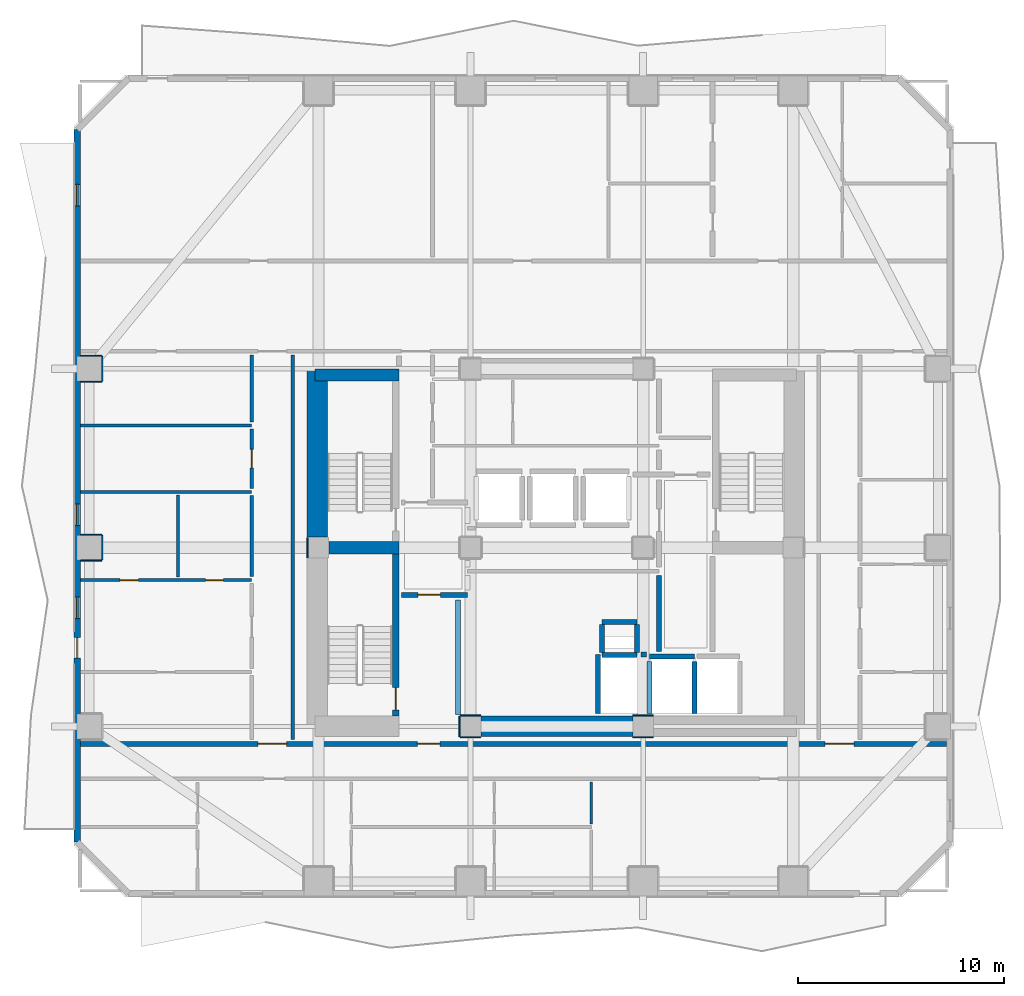
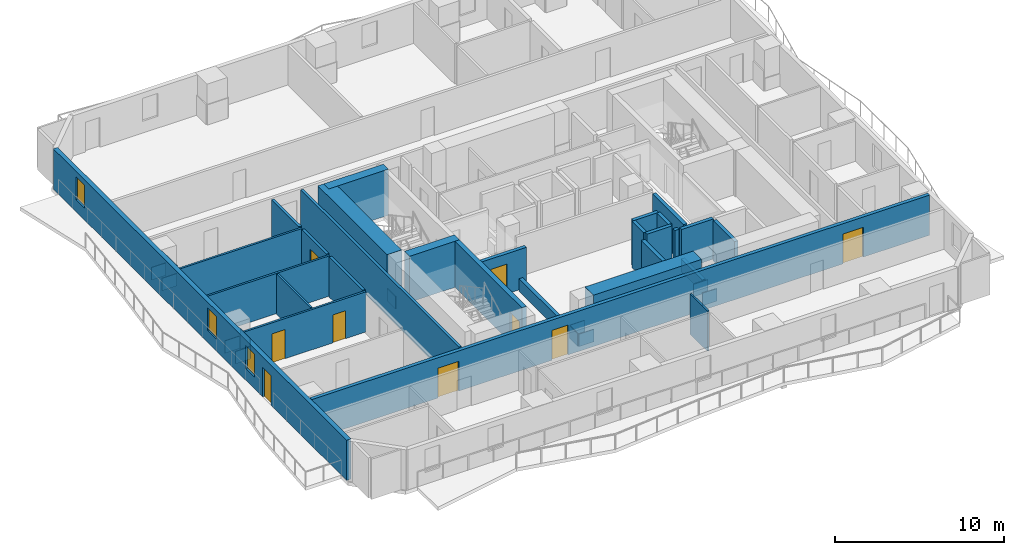
# One storey, part 3 of 10: 40 walls, 9 doors, 3 windows, 12 openings.
"""IFC4 building model written with IfcOpenShell, lengths in metres."""

import ifcopenshell
import ifcopenshell.guid

model = None  # the IFC model being written
_history = None  # IfcOwnerHistory: only IFC2X3 demands one
_inside = {}  # id of a spatial element -> (the spatial element, [elements in it])
_under = {}  # id of a project, library or spatial element -> (it, [spatial elements below it])
_declared = {}  # id of a project -> (the project, [libraries it declares])
_typed = {}  # id of a type object -> (the type object, [elements of that type])
_made_of = {}  # id of a material, layer set ... -> (it, [elements and type objects made of it])


def new_model(schema):
    """Start an empty IFC model of exactly this schema.

    Asked for "IFC4X3", IfcOpenShell would pick the latest addendum, in which some entities
    have other attributes; the version numbers below select the first issue.
    IFC2X3 requires an IfcOwnerHistory on every rooted entity: one is made here for all.
    """
    global model, _history
    if schema == "IFC4X3":
        model = ifcopenshell.file(schema_version=(4, 3, 0, 0))
    else:
        model = ifcopenshell.file(schema=schema)
    _inside.clear()
    _under.clear()
    _declared.clear()
    _typed.clear()
    _made_of.clear()
    _history = None
    if model.schema == "IFC2X3":
        org = make("IfcOrganization", Name="unknown")
        user = make(
            "IfcPersonAndOrganization",
            ThePerson=make("IfcPerson", FamilyName="unknown"),
            TheOrganization=org,
        )
        app = make(
            "IfcApplication",
            ApplicationDeveloper=org,
            Version="unknown",
            ApplicationFullName="unknown",
            ApplicationIdentifier="unknown",
        )
        _history = make(
            "IfcOwnerHistory",
            OwningUser=user,
            OwningApplication=app,
            ChangeAction="ADDED",
            CreationDate=0,
        )
    return model


def make(cls, **values):
    """One entity of the class cls with the attributes given. An attribute that is None is left unset."""
    return model.create_entity(
        cls, **{name: value for name, value in values.items() if value is not None}
    )


def rooted(cls, **values):
    """An entity with a GlobalId (a new one), such as an element, a storey or a relation."""
    return make(cls, GlobalId=ifcopenshell.guid.new(), OwnerHistory=_history, **values)


def si_unit(unit_type, name, prefix=None):
    """IfcSIUnit, for example si_unit("LENGTHUNIT", "METRE", prefix="MILLI")."""
    return make("IfcSIUnit", UnitType=unit_type, Prefix=prefix, Name=name)


def assignment(units):
    """IfcUnitAssignment: the units of a project."""
    return None if units is None else make("IfcUnitAssignment", Units=units)


def point(xyz):
    """IfcCartesianPoint."""
    return None if xyz is None else make("IfcCartesianPoint", Coordinates=xyz)


def direction(xyz):
    """IfcDirection."""
    return None if xyz is None else make("IfcDirection", DirectionRatios=xyz)


def frame(location, z_axis=None, x_axis=None):
    """IfcAxis2Placement3D, a coordinate frame: its origin and axes. An axis left out is left unset."""
    return make(
        "IfcAxis2Placement3D",
        Location=point(location),
        Axis=direction(z_axis),
        RefDirection=direction(x_axis),
    )


def frame_2d(location, x_axis=None):
    """IfcAxis2Placement2D, a coordinate frame in the plane: its origin and x axis."""
    return make(
        "IfcAxis2Placement2D", Location=point(location), RefDirection=direction(x_axis)
    )


def origin():
    """The frame at (0, 0, 0) with its axes left unset."""
    return frame((0.0, 0.0, 0.0))


def place(relative_to, where):
    """IfcLocalPlacement: puts the frame where relative to a parent placement (None: the world)."""
    return make(
        "IfcLocalPlacement", PlacementRelTo=relative_to, RelativePlacement=where
    )


def context(
    kind, dimensions, precision=None, world=None, true_north=None, identifier=None
):
    """IfcGeometricRepresentationContext, for example the 3D "Model" context."""
    return make(
        "IfcGeometricRepresentationContext",
        ContextIdentifier=identifier,
        ContextType=kind,
        CoordinateSpaceDimension=dimensions,
        Precision=precision,
        WorldCoordinateSystem=world,
        TrueNorth=true_north,
    )


def subcontext(parent, identifier, kind, view, scale=None):
    """IfcGeometricRepresentationSubContext, for example "Body" below "Model"."""
    return make(
        "IfcGeometricRepresentationSubContext",
        ContextIdentifier=identifier,
        ContextType=kind,
        ParentContext=parent,
        TargetScale=scale,
        TargetView=view,
    )


def project(units=None, contexts=None):
    """IfcProject with its units and contexts."""
    return rooted(
        "IfcProject",
        Name="project",
        RepresentationContexts=contexts,
        UnitsInContext=assignment(units),
    )


def spatial(cls, under=None, at=None, **own):
    """A site, building, storey or space (cls), placed at a placement, below another one or the project."""
    s = rooted(cls, ObjectPlacement=at, **own)
    if under is not None:
        _under.setdefault(under.id(), (under, []))[1].append(s)
    return s


def profile(cls, at=None, kind="AREA", **sizes):
    """A parametric profile (cls). Its sizes go by their IFC names, for example OverallWidth=200.0."""
    return make(cls, ProfileType=kind, Position=at, **sizes)


def rectangle(**sizes):
    """IfcRectangleProfileDef."""
    return profile("IfcRectangleProfileDef", **sizes)


def extrude(swept, where, along, depth):
    """IfcExtrudedAreaSolid: the profile swept, set in the frame where, extruded along a direction by depth."""
    return make(
        "IfcExtrudedAreaSolid",
        SweptArea=swept,
        Position=where,
        ExtrudedDirection=direction(along),
        Depth=depth,
    )


def shape(context_of_items, identifier, shape_type, items):
    """IfcShapeRepresentation: the items that make up one representation, for example the "Body"."""
    return make(
        "IfcShapeRepresentation",
        ContextOfItems=context_of_items,
        RepresentationIdentifier=identifier,
        RepresentationType=shape_type,
        Items=items,
    )


def material(Name=None, Category=None):
    """IfcMaterial."""
    return make("IfcMaterial", Name=Name, Category=Category)


def layer(
    of_material, thickness, ventilated=None, Name=None, Category=None, Priority=None
):
    """IfcMaterialLayer: one layer of a wall or slab, of a material (None: an air gap)."""
    return make(
        "IfcMaterialLayer",
        Material=of_material,
        LayerThickness=thickness,
        IsVentilated=ventilated,
        Name=Name,
        Category=Category,
        Priority=Priority,
    )


def layer_set(layers, Name=None):
    """IfcMaterialLayerSet."""
    return make("IfcMaterialLayerSet", MaterialLayers=layers, LayerSetName=Name)


def made_of(thing, what):
    """Note that an element or type object is made of a material, layer set ...; save() writes the relation."""
    if what is not None:
        _made_of.setdefault(what.id(), (what, []))[1].append(thing)
    return thing


def type_object(cls, material=None, **own):
    """A type object (cls), such as IfcWallType, which elements share."""
    return made_of(rooted(cls, **own), material)


def element(
    cls,
    number,
    at=None,
    inside=None,
    cuts=None,
    type_object=None,
    material=None,
    context=None,
    identifier="Body",
    shape_type=None,
    held_by="IfcProductDefinitionShape",
    body=None,
    shapes=None,
    **own,
):
    """One element of the class cls, such as IfcWall. Its Tag is "e" and its number.

    at: its placement. inside: the storey or other place that contains it. cuts: it is an
    opening in that element (IfcRelVoidsElement). A single representation is given by context,
    identifier, shape_type and body (its items); several are given by shapes. held_by: the class
    of the entity that holds the representations. save() writes the other relations.
    """
    e = rooted(cls, Tag="e%d" % number, ObjectPlacement=at, **own)
    if body is not None:
        shapes = [shape(context, identifier, shape_type, body)]
    if shapes is not None:
        e.Representation = make(held_by, Representations=shapes)
    if inside is not None:
        _inside.setdefault(inside.id(), (inside, []))[1].append(e)
    if cuts is not None:
        rooted(
            "IfcRelVoidsElement", RelatingBuildingElement=cuts, RelatedOpeningElement=e
        )
    if type_object is not None:
        _typed.setdefault(type_object.id(), (type_object, []))[1].append(e)
    return made_of(e, material)


def fill(opening, filler):
    """IfcRelFillsElement: the door or window that sits in an opening."""
    return rooted(
        "IfcRelFillsElement",
        RelatingOpeningElement=opening,
        RelatedBuildingElement=filler,
    )


def aggregate(whole, parts):
    """IfcRelAggregates: a whole, such as a stair, and the parts it consists of."""
    return rooted("IfcRelAggregates", RelatingObject=whole, RelatedObjects=parts)


def save(model, path):
    """Write the relations noted so far, then the file.

    IfcRelAggregates (storeys below a building ...), IfcRelContainedInSpatialStructure (elements
    in a storey), IfcRelDefinesByType, IfcRelAssociatesMaterial and IfcRelDeclares: one each for
    every whole, place, type object, material and project.
    """
    for whole, parts in _under.values():
        aggregate(whole, parts)
    for where, things in _inside.values():
        rooted(
            "IfcRelContainedInSpatialStructure",
            RelatedElements=things,
            RelatingStructure=where,
        )
    for kind, things in _typed.values():
        rooted("IfcRelDefinesByType", RelatedObjects=things, RelatingType=kind)
    for what, things in _made_of.values():
        rooted("IfcRelAssociatesMaterial", RelatedObjects=things, RelatingMaterial=what)
    for by, libraries in _declared.values():
        rooted("IfcRelDeclares", RelatingContext=by, RelatedDefinitions=libraries)
    model.write(path)


model = new_model("IFC4")

# Units and contexts
model_context = context("Model", 3, precision=1e-05, world=origin(), true_north=direction((0.0, 1.0)))
body_context = subcontext(model_context, "Body", "Model", "MODEL_VIEW")
ifc_project = project(units=[si_unit("LENGTHUNIT", "METRE"), si_unit("AREAUNIT", "SQUARE_METRE"), si_unit("VOLUMEUNIT", "CUBIC_METRE"), si_unit("PLANEANGLEUNIT", "RADIAN"), si_unit("MASSUNIT", "GRAM", prefix="KILO")], contexts=[model_context])

# Site, building, storey
site_placement = place(None, origin())
site = spatial("IfcSite", under=ifc_project, at=site_placement, CompositionType="ELEMENT")
building_placement = place(site_placement, origin())
building = spatial("IfcBuilding", under=site, at=building_placement, Name="Solanera Arch Residences", CompositionType="ELEMENT")
storey_placement = place(building_placement, frame((0.0, 0.0, 102.760009765625)))
storey = spatial("IfcBuildingStorey", under=building, at=storey_placement, Name="L29", CompositionType="ELEMENT", Elevation=102.760009765625)

# Walls
ifc_material_1 = material(Name="Fire-Rated Gypsum Stud Partition", Category="gypsum")
ifc_layer_1 = layer(ifc_material_1, 0.06005859375)
ifc_layer_set_1 = layer_set([ifc_layer_1], Name="Fire-Rated Gypsum Stud Partition")
wall_type_1 = type_object("IfcWallType", Name="Column Acoustic Furring Wall 60", PredefinedType="PARTITIONING", material=ifc_layer_set_1)
for number, where, z_axis, x_axis, name in (
    (1, (20.300048828125, 21.468017578125, 0.0), (0.0, 0.0, 1.0), (1.0, 0.0, 0.0), "L29 Column Furring 1S"),
    (2, (20.300048828125, 22.531982421875, 0.0), (0.0, 0.0, 1.0), (1.0, 0.0, 0.0), "L29 Column Furring 1N"),
    (3, (20.26806640625, 21.5, 0.0), (0.0, 0.0, 1.0), (0.0, 1.0, 0.0), "L29 Column Furring 1W"),
    (4, (28.699951171875, 21.468017578125, 0.0), (0.0, 0.0, 1.0), (1.0, 0.0, 0.0), "L29 Column Furring 2S"),
    (5, (28.699951171875, 22.531982421875, 0.0), (0.0, 0.0, 1.0), (1.0, 0.0, 0.0), "L29 Column Furring 2N"),
):
    element("IfcWall", number, at=place(storey_placement, frame(where, z_axis=z_axis, x_axis=x_axis)), inside=storey, type_object=wall_type_1, Name=name, PredefinedType="PARTITIONING", context=body_context, shape_type="SweptSolid", body=[
        extrude(rectangle(XDim=1.0, YDim=0.06005859375, at=frame_2d((0.5, 0.0))), origin(), (0.0, 0.0, 1.0), 0.905029296875),
    ])
wall_1_placement = place(storey_placement, frame((12.867919921875, 30.2099609375, 0.0), z_axis=(0.0, 0.0, 1.0), x_axis=(0.0, 1.0, 0.0)))
element("IfcWall", 6, at=wall_1_placement, inside=storey, type_object=wall_type_1, Name="L29 Column Furring 5W", PredefinedType="PARTITIONING", context=body_context, shape_type="SweptSolid", body=[
    extrude(rectangle(XDim=0.97998046875, YDim=0.06005859375, at=frame_2d((0.489990234375, 0.0))), origin(), (0.0, 0.0, 1.0), 0.905029296875),
])
for number, where, z_axis, x_axis, name in (
    (7, (1.830078125, 30.068115234375, 0.0), (0.0, 0.0, 1.0), (1.0, 0.0, 0.0), "L29 Column Furring 19S"),
    (8, (1.830078125, 31.33203125, 0.0), (0.0, 0.0, 1.0), (1.0, 0.0, 0.0), "L29 Column Furring 19N"),
):
    element("IfcWall", number, at=place(storey_placement, frame(where, z_axis=z_axis, x_axis=x_axis)), inside=storey, type_object=wall_type_1, Name=name, PredefinedType="PARTITIONING", context=body_context, shape_type="SweptSolid", body=[
        extrude(rectangle(XDim=1.02001953125, YDim=0.06005859375, at=frame_2d((0.510009765625, 0.0))), origin(), (0.0, 0.0, 1.0), 0.905029296875),
    ])
wall_2_placement = place(storey_placement, frame((2.882080078125, 30.10009765625, 0.0), z_axis=(0.0, 0.0, 1.0), x_axis=(0.0, 1.0, 0.0)))
element("IfcWall", 9, at=wall_2_placement, inside=storey, type_object=wall_type_1, Name="L29 Column Furring 19E", PredefinedType="PARTITIONING", context=body_context, shape_type="SweptSolid", body=[
    extrude(rectangle(XDim=1.199951171875, YDim=0.06005859375, at=frame_2d((0.60009765625, 0.0))), origin(), (0.0, 0.0, 1.0), 1.449951171875),
])
for number, where, z_axis, x_axis, name in (
    (10, (1.830078125, 38.76806640625, 0.0), (0.0, 0.0, 1.0), (1.0, 0.0, 0.0), "L29 Column Furring 21S"),
    (11, (1.830078125, 40.031982421875, 0.0), (0.0, 0.0, 1.0), (1.0, 0.0, 0.0), "L29 Column Furring 21N"),
):
    element("IfcWall", number, at=place(storey_placement, frame(where, z_axis=z_axis, x_axis=x_axis)), inside=storey, type_object=wall_type_1, Name=name, PredefinedType="PARTITIONING", context=body_context, shape_type="SweptSolid", body=[
        extrude(rectangle(XDim=1.02001953125, YDim=0.06005859375, at=frame_2d((0.510009765625, 0.0))), origin(), (0.0, 0.0, 1.0), 0.905029296875),
    ])
wall_3_placement = place(storey_placement, frame((2.882080078125, 38.800048828125, 0.0), z_axis=(0.0, 0.0, 1.0), x_axis=(0.0, 1.0, 0.0)))
element("IfcWall", 12, at=wall_3_placement, inside=storey, type_object=wall_type_1, Name="L29 Column Furring 21E", PredefinedType="PARTITIONING", context=body_context, shape_type="SweptSolid", body=[
    extrude(rectangle(XDim=1.199951171875, YDim=0.06005859375, at=frame_2d((0.60009765625, 0.0))), origin(), (0.0, 0.0, 1.0), 1.449951171875),
])
ifc_material_2 = material(Name="Concrete C55/67 (f'c = 60 MPa)", Category="concrete")
ifc_layer_2 = layer(ifc_material_2, 1.0)
ifc_layer_set_2 = layer_set([ifc_layer_2], Name="Concrete C55/67 (f'c = 60 MPa)")
wall_type_2 = type_object("IfcWallType", Name="Core Shear Wall CW-1000", PredefinedType="SHEAR", material=ifc_layer_set_2)
wall_4_placement = place(storey_placement, frame((13.340087890625, 31.205078125, 0.0), z_axis=(0.0, 0.0, 1.0), x_axis=(0.0, 1.0, 0.0)))
element("IfcWall", 13, at=wall_4_placement, inside=storey, type_object=wall_type_2, Name="L29 West Core North Shear Wall", PredefinedType="SHEAR", context=body_context, shape_type="SweptSolid", body=[
    extrude(rectangle(XDim=8.19482421875, YDim=1.0, at=frame_2d((4.097412109375, 0.0))), origin(), (0.0, 0.0, 1.0), 3.320068359375),
])
wall_5_placement = place(storey_placement, frame((21.304931640625, 22.0, 0.0), z_axis=(0.0, 0.0, 1.0), x_axis=(1.0, 0.0, 0.0)))
element("IfcWall", 14, at=wall_5_placement, inside=storey, type_object=wall_type_2, Name="L29 Central South Core Shear Wall", PredefinedType="SHEAR", context=body_context, shape_type="SweptSolid", body=[
    extrude(rectangle(XDim=7.39013671875, YDim=1.0, at=frame_2d((3.695068359375, 0.0))), origin(), (0.0, 0.0, 1.0), 3.320068359375),
])

# Wall, opening, door
ifc_material_3 = material(Name="Concrete C40/50 (f'c = 45 MPa)", Category="concrete")
ifc_layer_3 = layer(ifc_material_3, 0.320068359375)
ifc_layer_set_3 = layer_set([ifc_layer_3], Name="Concrete C40/50 (f'c = 45 MPa)")
wall_type_3 = type_object("IfcWallType", Name="Core Shear Wall CW-320", PredefinedType="SHEAR", material=ifc_layer_set_3)
wall_6_placement = place(storey_placement, frame((17.159912109375, 22.5, 0.0), z_axis=(0.0, 0.0, 1.0), x_axis=(0.0, 1.0, 0.0)))
wall_6 = element("IfcWall", 15, at=wall_6_placement, inside=storey, type_object=wall_type_3, Name="L29 Stair ST-T3 East Shear Wall", PredefinedType="SHEAR", context=body_context, shape_type="SweptSolid", body=[
    extrude(rectangle(XDim=7.89990234375, YDim=0.320068359375, at=frame_2d((3.949951171875, 0.0))), origin(), (0.0, 0.0, 1.0), 3.320068359375),
])
opening_1_placement = place(wall_6_placement, frame((0.2900390625, 0.0, 0.0)))
opening_1 = element("IfcOpeningElement", 16, at=opening_1_placement, cuts=wall_6, Name="Opening DF-01", PredefinedType="OPENING", context=body_context, shape_type="SweptSolid", body=[
    extrude(rectangle(XDim=1.10009765625, YDim=2.14990234375, at=frame_2d((0.550048828125, 1.074951171875))), frame((0.0, 0.169921875, 0.0), z_axis=(0.0, -1.0, 0.0), x_axis=(1.0, 0.0, 0.0)), (0.0, 0.0, 1.0), 0.3401),
])
ifc_material_4 = material(Name="Fire-Rated Architectural Hardwood", Category="wood")
door_type_1 = type_object("IfcDoorType", Name="Stair Exit Fire Door DF-01", OperationType="NOTDEFINED", PredefinedType="DOOR", material=ifc_material_4)
door_1_placement = place(opening_1_placement, origin())
door_1 = element("IfcDoor", 17, at=door_1_placement, inside=storey, type_object=door_type_1, Name="DR-L29-STAIR-ST-T3", OperationType="SINGLE_SWING_RIGHT", OverallHeight=2.14990234375, OverallWidth=1.10009765625, PredefinedType="DOOR", context=body_context, shape_type="SweptSolid", body=[
    extrude(rectangle(XDim=1.10009765625, YDim=2.14990234375, at=frame_2d((0.550048828125, 1.074951171875))), frame((0.0, 0.02490234375, 0.0), z_axis=(0.0, -1.0, 0.0), x_axis=(1.0, 0.0, 0.0)), (0.0, 0.0, 1.0), 0.050048828125),
])
fill(opening_1, door_1)

# Walls
ifc_material_5 = material(Name="Concrete C40/50 (f'c = 45 MPa)", Category="concrete")
ifc_layer_4 = layer(ifc_material_5, 0.60009765625)
ifc_layer_set_4 = layer_set([ifc_layer_4], Name="Concrete C40/50 (f'c = 45 MPa)")
wall_type_4 = type_object("IfcWallType", Name="Core Shear Wall CW-600", PredefinedType="SHEAR", material=ifc_layer_set_4)
wall_7_placement = place(storey_placement, frame((13.239990234375, 39.10009765625, 0.0), z_axis=(0.0, 0.0, 1.0), x_axis=(1.0, 0.0, 0.0)))
element("IfcWall", 18, at=wall_7_placement, inside=storey, type_object=wall_type_4, Name="L29 North-West Core Shear Wall", PredefinedType="SHEAR", context=body_context, shape_type="SweptSolid", body=[
    extrude(rectangle(XDim=4.080078125, YDim=0.60009765625, at=frame_2d((2.0400390625, 0.0))), origin(), (0.0, 0.0, 1.0), 3.320068359375),
])
wall_8_placement = place(storey_placement, frame((13.905029296875, 30.699951171875, 0.0), z_axis=(0.0, 0.0, 1.0), x_axis=(1.0, 0.0, 0.0)))
element("IfcWall", 19, at=wall_8_placement, inside=storey, type_object=wall_type_4, Name="L29 West Stair Divider Shear Wall", PredefinedType="SHEAR", context=body_context, shape_type="SweptSolid", body=[
    extrude(rectangle(XDim=3.4150390625, YDim=0.60009765625, at=frame_2d((1.70751953125, 0.0))), origin(), (0.0, 0.0, 1.0), 3.320068359375),
])
ifc_material_6 = material(Name="Autoclaved Aerated Concrete Blockwork", Category="masonry")
ifc_layer_5 = layer(ifc_material_6, 0.179931640625)
ifc_layer_set_5 = layer_set([ifc_layer_5], Name="Autoclaved Aerated Concrete Blockwork")
wall_type_5 = type_object("IfcWallType", Name="Corridor Fire Partition 180", PredefinedType="PARTITIONING", material=ifc_layer_set_5)
wall_9_placement = place(storey_placement, frame((10.14990234375, 29.2880859375, 0.0), z_axis=(0.0, 0.0, 1.0), x_axis=(0.0, 1.0, 0.0)))
element("IfcWall", 20, at=wall_9_placement, inside=storey, type_object=wall_type_5, Name="L29 Interior Partition V8 3", PredefinedType="PARTITIONING", context=body_context, shape_type="SweptSolid", body=[
    extrude(rectangle(XDim=3.94384765625, YDim=0.179931640625, at=frame_2d((1.971923828125, 0.0))), origin(), (0.0, 0.0, 1.0), 2.89990234375),
])

# Wall, opening, door
wall_10_placement = place(storey_placement, frame((10.14990234375, 33.568115234375, 0.0), z_axis=(0.0, 0.0, 1.0), x_axis=(0.0, 1.0, 0.0)))
wall_10 = element("IfcWall", 21, at=wall_10_placement, inside=storey, type_object=wall_type_5, Name="L29 Interior Partition V8 4", PredefinedType="PARTITIONING", context=body_context, shape_type="SweptSolid", body=[
    extrude(rectangle(XDim=2.913818359375, YDim=0.179931640625, at=frame_2d((1.45703125, 0.0))), origin(), (0.0, 0.0, 1.0), 2.89990234375),
])
opening_2_placement = place(wall_10_placement, frame((1.007080078125, 0.0, 0.0)))
opening_2 = element("IfcOpeningElement", 22, at=opening_2_placement, cuts=wall_10, Name="Opening DI-02", PredefinedType="OPENING", context=body_context, shape_type="SweptSolid", body=[
    extrude(rectangle(XDim=0.89990234375, YDim=2.10009765625, at=frame_2d((0.449951171875, 1.050048828125))), frame((0.0, 0.10009765625, 0.0), z_axis=(0.0, -1.0, 0.0), x_axis=(1.0, 0.0, 0.0)), (0.0, 0.0, 1.0), 0.1999),
])
ifc_material_7 = material(Name="Fire-Rated Architectural Hardwood", Category="wood")
door_type_2 = type_object("IfcDoorType", Name="Suite Room Swing Door DI-02", OperationType="NOTDEFINED", PredefinedType="DOOR", material=ifc_material_7)
door_2_placement = place(opening_2_placement, origin())
door_2 = element("IfcDoor", 23, at=door_2_placement, inside=storey, type_object=door_type_2, Name="DR-L29-IN-035", OperationType="SINGLE_SWING_RIGHT", OverallHeight=2.10009765625, OverallWidth=0.89990234375, PredefinedType="DOOR", context=body_context, shape_type="SweptSolid", body=[
    extrude(rectangle(XDim=0.89990234375, YDim=2.10009765625, at=frame_2d((0.449951171875, 1.050048828125))), frame((0.0, 0.02490234375, 0.0), z_axis=(0.0, -1.0, 0.0), x_axis=(1.0, 0.0, 0.0)), (0.0, 0.0, 1.0), 0.050048828125),
])
fill(opening_2, door_2)

# Walls
wall_11_placement = place(storey_placement, frame((10.14990234375, 36.818115234375, 0.0), z_axis=(0.0, 0.0, 1.0), x_axis=(0.0, 1.0, 0.0)))
element("IfcWall", 24, at=wall_11_placement, inside=storey, type_object=wall_type_5, Name="L29 Interior Partition V8 5", PredefinedType="PARTITIONING", context=body_context, shape_type="SweptSolid", body=[
    extrude(rectangle(XDim=3.243896484375, YDim=0.179931640625, at=frame_2d((1.6220703125, 0.0))), origin(), (0.0, 0.0, 1.0), 2.89990234375),
])
wall_12_placement = place(storey_placement, frame((12.14990234375, 21.367919921875, 0.0), z_axis=(0.0, 0.0, 1.0), x_axis=(0.0, 1.0, 0.0)))
element("IfcWall", 25, at=wall_12_placement, inside=storey, type_object=wall_type_5, Name="L29 Interior Partition V9", PredefinedType="PARTITIONING", context=body_context, shape_type="SweptSolid", body=[
    extrude(rectangle(XDim=18.694091796875, YDim=0.179931640625, at=frame_2d((9.34716796875, 0.0))), origin(), (0.0, 0.0, 1.0), 2.89990234375),
])

# Wall, openings, door, windows
ifc_material_8 = material(Name="Precast Concrete C35/45", Category="concrete")
ifc_layer_6 = layer(ifc_material_8, 0.300048828125)
ifc_layer_set_6 = layer_set([ifc_layer_6], Name="Precast Concrete C35/45")
wall_type_6 = type_object("IfcWallType", Name="Exterior Wall Precast Masonry-Frame 300", PredefinedType="STANDARD", material=ifc_layer_set_6)
wall_13_placement = place(storey_placement, frame((1.6650390625, 16.364990234375, 0.0), z_axis=(0.0, 0.0, 1.0), x_axis=(0.0, 1.0, 0.0)))
wall_13 = element("IfcWall", 26, at=wall_13_placement, inside=storey, type_object=wall_type_6, Name="L29 Tower Exterior Precast Masonry-Frame Wall W", PredefinedType="STANDARD", context=body_context, shape_type="SweptSolid", body=[
    extrude(rectangle(XDim=34.669921875, YDim=0.300048828125, at=frame_2d((17.3349609375, 0.0))), origin(), (0.0, 0.0, 1.0), 2.89990234375),
])
opening_3_placement = place(wall_13_placement, frame((8.955078125, 0.0, 0.0)))
opening_3 = element("IfcOpeningElement", 27, at=opening_3_placement, cuts=wall_13, Name="Opening DB-01", PredefinedType="OPENING", context=body_context, shape_type="SweptSolid", body=[
    extrude(rectangle(XDim=1.0, YDim=2.14990234375, at=frame_2d((0.5, 1.074951171875))), frame((0.0, 0.159912109375, 0.0), z_axis=(0.0, -1.0, 0.0), x_axis=(1.0, 0.0, 0.0)), (0.0, 0.0, 1.0), 0.32),
])
opening_4_placement = place(wall_13_placement, frame((30.9580078125, 0.0, 0.85009765625)))
opening_4 = element("IfcOpeningElement", 28, at=opening_4_placement, cuts=wall_13, Name="Opening W-07", PredefinedType="OPENING", context=body_context, shape_type="SweptSolid", body=[
    extrude(rectangle(XDim=1.050048828125, YDim=1.64990234375, at=frame_2d((0.52490234375, 0.824951171875))), frame((0.0, 0.159912109375, 0.0), z_axis=(0.0, -1.0, 0.0), x_axis=(1.0, 0.0, 0.0)), (0.0, 0.0, 1.0), 0.32),
])
opening_5_placement = place(wall_13_placement, frame((10.8798828125, 0.0, 0.85009765625)))
opening_5 = element("IfcOpeningElement", 29, at=opening_5_placement, cuts=wall_13, Name="Opening W-07", PredefinedType="OPENING", context=body_context, shape_type="SweptSolid", body=[
    extrude(rectangle(XDim=1.050048828125, YDim=1.64990234375, at=frame_2d((0.52490234375, 0.824951171875))), frame((0.0, 0.159912109375, 0.0), z_axis=(0.0, -1.0, 0.0), x_axis=(1.0, 0.0, 0.0)), (0.0, 0.0, 1.0), 0.32),
])
opening_6_placement = place(wall_13_placement, frame((15.409912109375, 0.0, 0.85009765625)))
opening_6 = element("IfcOpeningElement", 30, at=opening_6_placement, cuts=wall_13, Name="Opening W-07", PredefinedType="OPENING", context=body_context, shape_type="SweptSolid", body=[
    extrude(rectangle(XDim=1.050048828125, YDim=1.64990234375, at=frame_2d((0.52490234375, 0.824951171875))), frame((0.0, 0.159912109375, 0.0), z_axis=(0.0, -1.0, 0.0), x_axis=(1.0, 0.0, 0.0)), (0.0, 0.0, 1.0), 0.32),
])
ifc_material_9 = material(Name="Anodised Aluminium Alloy 6063-T6", Category="aluminium")
door_type_3 = type_object("IfcDoorType", Name="Glazed Balcony Swing Door DB-01", OperationType="NOTDEFINED", PredefinedType="DOOR", material=ifc_material_9)
door_3_placement = place(opening_3_placement, origin())
door_3 = element("IfcDoor", 31, at=door_3_placement, inside=storey, type_object=door_type_3, Name="DR-L29-OUT-04", OperationType="SINGLE_SWING_RIGHT", OverallHeight=2.14990234375, OverallWidth=1.0, PredefinedType="DOOR", context=body_context, shape_type="SweptSolid", body=[
    extrude(rectangle(XDim=1.0, YDim=2.14990234375, at=frame_2d((0.5, 1.074951171875))), frame((0.0, 0.02490234375, 0.0), z_axis=(0.0, -1.0, 0.0), x_axis=(1.0, 0.0, 0.0)), (0.0, 0.0, 1.0), 0.050048828125),
])
fill(opening_3, door_3)
ifc_material_10 = material(Name="Double Glazed Low-E Laminated Glass", Category="glass")
window_type = type_object("IfcWindowType", Name="Punched Window W-07", PartitioningType="SINGLE_PANEL", PredefinedType="WINDOW", material=ifc_material_10)
window_1_placement = place(opening_4_placement, origin())
window_1 = element("IfcWindow", 32, at=window_1_placement, inside=storey, type_object=window_type, Name="L29 AMN-MTG1 Punched Window", OverallHeight=1.64990234375, OverallWidth=1.050048828125, PartitioningType="SINGLE_PANEL", PredefinedType="WINDOW", context=body_context, shape_type="SweptSolid", body=[
    extrude(rectangle(XDim=1.050048828125, YDim=1.64990234375, at=frame_2d((0.52490234375, 0.824951171875))), frame((0.0, 0.030029296875, 0.0), z_axis=(0.0, -1.0, 0.0), x_axis=(1.0, 0.0, 0.0)), (0.0, 0.0, 1.0), 0.06005859375),
])
fill(opening_4, window_1)
window_2_placement = place(opening_5_placement, origin())
window_2 = element("IfcWindow", 33, at=window_2_placement, inside=storey, type_object=window_type, Name="L29 2903-LIV Punched Window", OverallHeight=1.64990234375, OverallWidth=1.050048828125, PartitioningType="SINGLE_PANEL", PredefinedType="WINDOW", context=body_context, shape_type="SweptSolid", body=[
    extrude(rectangle(XDim=1.050048828125, YDim=1.64990234375, at=frame_2d((0.52490234375, 0.824951171875))), frame((0.0, 0.030029296875, 0.0), z_axis=(0.0, -1.0, 0.0), x_axis=(1.0, 0.0, 0.0)), (0.0, 0.0, 1.0), 0.06005859375),
])
fill(opening_5, window_2)
window_3_placement = place(opening_6_placement, origin())
window_3 = element("IfcWindow", 34, at=window_3_placement, inside=storey, type_object=window_type, Name="L29 2903-BR1 Punched Window", OverallHeight=1.64990234375, OverallWidth=1.050048828125, PartitioningType="SINGLE_PANEL", PredefinedType="WINDOW", context=body_context, shape_type="SweptSolid", body=[
    extrude(rectangle(XDim=1.050048828125, YDim=1.64990234375, at=frame_2d((0.52490234375, 0.824951171875))), frame((0.0, 0.030029296875, 0.0), z_axis=(0.0, -1.0, 0.0), x_axis=(1.0, 0.0, 0.0)), (0.0, 0.0, 1.0), 0.06005859375),
])
fill(opening_6, window_3)

# Walls
ifc_material_11 = material(Name="Concrete C40/50 (f'c = 45 MPa)", Category="concrete")
ifc_layer_7 = layer(ifc_material_11, 0.239990234375)
ifc_layer_set_7 = layer_set([ifc_layer_7], Name="Concrete C40/50 (f'c = 45 MPa)")
wall_type_7 = type_object("IfcWallType", Name="Ramp Bearing Shear Wall RW-240", PredefinedType="SHEAR", material=ifc_layer_set_7)
for number, where, z_axis, x_axis, name in (
    (35, (27.199951171875, 25.47998046875, 0.0), (0.0, 0.0, 1.0), (1.0, 0.0, 0.0), "L29 Core MEP Riser South Shaft Wall"),
    (36, (27.199951171875, 27.080078125, 0.0), (0.0, 0.0, 1.0), (1.0, 0.0, 0.0), "L29 Core MEP Riser North Shaft Wall"),
):
    element("IfcWall", number, at=place(storey_placement, frame(where, z_axis=z_axis, x_axis=x_axis)), inside=storey, type_object=wall_type_7, Name=name, PredefinedType="SHEAR", context=body_context, shape_type="SweptSolid", body=[
        extrude(rectangle(XDim=1.699951171875, YDim=0.239990234375, at=frame_2d((0.85009765625, 0.0))), origin(), (0.0, 0.0, 1.0), 3.320068359375),
    ])
for number, where, z_axis, x_axis, name in (
    (37, (27.199951171875, 25.60009765625, 0.0), (0.0, 0.0, 1.0), (0.0, 1.0, 0.0), "L29 Core MEP Riser West Shaft Wall"),
    (38, (28.89990234375, 25.60009765625, 0.0), (0.0, 0.0, 1.0), (0.0, 1.0, 0.0), "L29 Core MEP Riser East Shaft Wall"),
):
    element("IfcWall", number, at=place(storey_placement, frame(where, z_axis=z_axis, x_axis=x_axis)), inside=storey, type_object=wall_type_7, Name=name, PredefinedType="SHEAR", context=body_context, shape_type="SweptSolid", body=[
        extrude(rectangle(XDim=1.35986328125, YDim=0.239990234375, at=frame_2d((0.679931640625, 0.0))), origin(), (0.0, 0.0, 1.0), 3.320068359375),
    ])
ifc_material_12 = material(Name="Autoclaved Aerated Concrete Blockwork", Category="masonry")
ifc_layer_8 = layer(ifc_material_12, 0.239990234375)
ifc_layer_set_8 = layer_set([ifc_layer_8], Name="Autoclaved Aerated Concrete Blockwork")
wall_type_8 = type_object("IfcWallType", Name="Shaft Wall Fire-Rated 240", PredefinedType="PARTITIONING", material=ifc_layer_set_8)
wall_14_placement = place(storey_placement, frame((29.5, 25.39990234375, 0.0), z_axis=(0.0, 0.0, 1.0), x_axis=(1.0, 0.0, 0.0)))
element("IfcWall", 39, at=wall_14_placement, inside=storey, type_object=wall_type_8, Name="L29 Lift FFL-1 Hoistway Wall N", PredefinedType="PARTITIONING", context=body_context, shape_type="SweptSolid", body=[
    extrude(rectangle(XDim=2.199951171875, YDim=0.239990234375, at=frame_2d((1.10009765625, 0.0))), origin(), (0.0, 0.0, 1.0), 2.89990234375),
])
wall_15_placement = place(storey_placement, frame((29.5, 22.632080078125, 0.0), z_axis=(0.0, 0.0, 1.0), x_axis=(0.0, 1.0, 0.0)))
element("IfcWall", 40, at=wall_15_placement, inside=storey, type_object=wall_type_8, Name="L29 Lift FFL-1 Hoistway Wall W", PredefinedType="PARTITIONING", context=body_context, shape_type="SweptSolid", body=[
    extrude(rectangle(XDim=2.52001953125, YDim=0.239990234375, at=frame_2d((1.260009765625, 0.0))), origin(), (0.0, 0.0, 1.0), 0.905029296875),
])
wall_16_placement = place(storey_placement, frame((31.699951171875, 22.6298828125, 0.0), z_axis=(0.0, 0.0, 1.0), x_axis=(0.0, 1.0, 0.0)))
element("IfcWall", 41, at=wall_16_placement, inside=storey, type_object=wall_type_8, Name="L29 Lift FFL-1 Hoistway Wall E", PredefinedType="PARTITIONING", context=body_context, shape_type="SweptSolid", body=[
    extrude(rectangle(XDim=2.522216796875, YDim=0.239990234375, at=frame_2d((1.26123046875, 0.0))), origin(), (0.0, 0.0, 1.0), 2.89990234375),
])
wall_17_placement = place(storey_placement, frame((29.10302734375, 25.5, 0.0), z_axis=(0.0, 0.0, 1.0), x_axis=(1.0, 0.0, 0.0)))
element("IfcWall", 42, at=wall_17_placement, inside=storey, type_object=wall_type_8, Name="L29 Lift SVL-1 Hoistway Wall N", PredefinedType="PARTITIONING", context=body_context, shape_type="SweptSolid", body=[
    extrude(rectangle(XDim=0.26904296875, YDim=0.239990234375, at=frame_2d((0.134521484375, 0.0))), origin(), (0.0, 0.0, 1.0), 2.89990234375),
])
wall_18_placement = place(storey_placement, frame((27.0, 22.6298828125, 0.0), z_axis=(0.0, 0.0, 1.0), x_axis=(0.0, 1.0, 0.0)))
element("IfcWall", 43, at=wall_18_placement, inside=storey, type_object=wall_type_8, Name="L29 Lift SVL-1 Hoistway Wall W", PredefinedType="PARTITIONING", context=body_context, shape_type="SweptSolid", body=[
    extrude(rectangle(XDim=2.8681640625, YDim=0.239990234375, at=frame_2d((1.43408203125, 0.0))), origin(), (0.0, 0.0, 1.0), 2.89990234375),
])

# Wall, openings, doors
wall_19_placement = place(storey_placement, frame((1.826904296875, 21.14990234375, 0.0), z_axis=(0.0, 0.0, 1.0), x_axis=(1.0, 0.0, 0.0)))
wall_19 = element("IfcWall", 44, at=wall_19_placement, inside=storey, type_object=wall_type_8, Name="L29 Interior Partition H1", PredefinedType="PARTITIONING", context=body_context, shape_type="SweptSolid", body=[
    extrude(rectangle(XDim=42.14599609375, YDim=0.239990234375, at=frame_2d((21.072998046875, 0.0))), origin(), (0.0, 0.0, 1.0), 2.89990234375),
])
opening_7_placement = place(wall_19_placement, frame((16.383056640625, 0.0, 0.0)))
opening_7 = element("IfcOpeningElement", 45, at=opening_7_placement, cuts=wall_19, Name="Opening DF-02", PredefinedType="OPENING", context=body_context, shape_type="SweptSolid", body=[
    extrude(rectangle(XDim=1.10009765625, YDim=2.14990234375, at=frame_2d((0.550048828125, 1.074951171875))), frame((0.0, 0.1298828125, 0.0), z_axis=(0.0, -1.0, 0.0), x_axis=(1.0, 0.0, 0.0)), (0.0, 0.0, 1.0), 0.26),
])
opening_8_placement = place(wall_19_placement, frame((8.623046875, 0.0, 0.0)))
opening_8 = element("IfcOpeningElement", 46, at=opening_8_placement, cuts=wall_19, Name="Opening DF-03", PredefinedType="OPENING", context=body_context, shape_type="SweptSolid", body=[
    extrude(rectangle(XDim=1.39990234375, YDim=2.14990234375, at=frame_2d((0.699951171875, 1.074951171875))), frame((0.0, 0.1298828125, 0.0), z_axis=(0.0, -1.0, 0.0), x_axis=(1.0, 0.0, 0.0)), (0.0, 0.0, 1.0), 0.26),
])
opening_9_placement = place(wall_19_placement, frame((36.222900390625, 0.0, 0.0)))
opening_9 = element("IfcOpeningElement", 47, at=opening_9_placement, cuts=wall_19, Name="Opening DF-03", PredefinedType="OPENING", context=body_context, shape_type="SweptSolid", body=[
    extrude(rectangle(XDim=1.39990234375, YDim=2.14990234375, at=frame_2d((0.699951171875, 1.074951171875))), frame((0.0, 0.1298828125, 0.0), z_axis=(0.0, -1.0, 0.0), x_axis=(1.0, 0.0, 0.0)), (0.0, 0.0, 1.0), 0.26),
])
ifc_material_13 = material(Name="Fire-Rated Architectural Hardwood", Category="wood")
door_type_4 = type_object("IfcDoorType", Name="Corridor Smoke Door DF-03", OperationType="NOTDEFINED", PredefinedType="DOOR", material=ifc_material_13)
door_4_placement = place(opening_8_placement, origin())
door_4 = element("IfcDoor", 48, at=door_4_placement, inside=storey, type_object=door_type_4, Name="DR-L29-IN-010", OperationType="SINGLE_SWING_LEFT", OverallHeight=2.14990234375, OverallWidth=1.39990234375, PredefinedType="DOOR", context=body_context, shape_type="SweptSolid", body=[
    extrude(rectangle(XDim=1.39990234375, YDim=2.14990234375, at=frame_2d((0.699951171875, 1.074951171875))), frame((0.0, 0.02490234375, 0.0), z_axis=(0.0, -1.0, 0.0), x_axis=(1.0, 0.0, 0.0)), (0.0, 0.0, 1.0), 0.050048828125),
])
fill(opening_8, door_4)
door_5_placement = place(opening_9_placement, origin())
door_5 = element("IfcDoor", 49, at=door_5_placement, inside=storey, type_object=door_type_4, Name="DR-L29-IN-011", OperationType="SINGLE_SWING_RIGHT", OverallHeight=2.14990234375, OverallWidth=1.39990234375, PredefinedType="DOOR", context=body_context, shape_type="SweptSolid", body=[
    extrude(rectangle(XDim=1.39990234375, YDim=2.14990234375, at=frame_2d((0.699951171875, 1.074951171875))), frame((0.0, 0.02490234375, 0.0), z_axis=(0.0, -1.0, 0.0), x_axis=(1.0, 0.0, 0.0)), (0.0, 0.0, 1.0), 0.050048828125),
])
fill(opening_9, door_5)
ifc_material_14 = material(Name="Fire-Rated Architectural Hardwood", Category="wood")
door_type_5 = type_object("IfcDoorType", Name="Firefighting Lobby Fire Door DF-02", OperationType="NOTDEFINED", PredefinedType="DOOR", material=ifc_material_14)
door_6_placement = place(opening_7_placement, origin())
door_6 = element("IfcDoor", 50, at=door_6_placement, inside=storey, type_object=door_type_5, Name="DR-L29-IN-008", OperationType="SINGLE_SWING_LEFT", OverallHeight=2.14990234375, OverallWidth=1.10009765625, PredefinedType="DOOR", context=body_context, shape_type="SweptSolid", body=[
    extrude(rectangle(XDim=1.10009765625, YDim=2.14990234375, at=frame_2d((0.550048828125, 1.074951171875))), frame((0.0, 0.02490234375, 0.0), z_axis=(0.0, -1.0, 0.0), x_axis=(1.0, 0.0, 0.0)), (0.0, 0.0, 1.0), 0.050048828125),
])
fill(opening_7, door_6)

# Wall, opening, door
wall_20_placement = place(storey_placement, frame((17.449951171875, 28.39990234375, 0.0), z_axis=(0.0, 0.0, 1.0), x_axis=(1.0, 0.0, 0.0)))
wall_20 = element("IfcWall", 51, at=wall_20_placement, inside=storey, type_object=wall_type_8, Name="L29 Interior Partition H3", PredefinedType="PARTITIONING", context=body_context, shape_type="SweptSolid", body=[
    extrude(rectangle(XDim=3.199951171875, YDim=0.239990234375, at=frame_2d((1.60009765625, 0.0))), origin(), (0.0, 0.0, 1.0), 2.89990234375),
])
opening_10_placement = place(wall_20_placement, frame((0.783935546875, 0.0, 0.0)))
opening_10 = element("IfcOpeningElement", 52, at=opening_10_placement, cuts=wall_20, Name="Opening DF-02", PredefinedType="OPENING", context=body_context, shape_type="SweptSolid", body=[
    extrude(rectangle(XDim=1.10009765625, YDim=2.14990234375, at=frame_2d((0.550048828125, 1.074951171875))), frame((0.0, 0.1298828125, 0.0), z_axis=(0.0, -1.0, 0.0), x_axis=(1.0, 0.0, 0.0)), (0.0, 0.0, 1.0), 0.26),
])
door_7_placement = place(opening_10_placement, origin())
door_7 = element("IfcDoor", 53, at=door_7_placement, inside=storey, type_object=door_type_5, Name="DR-L29-IN-004", OperationType="SINGLE_SWING_LEFT", OverallHeight=2.14990234375, OverallWidth=1.10009765625, PredefinedType="DOOR", context=body_context, shape_type="SweptSolid", body=[
    extrude(rectangle(XDim=1.10009765625, YDim=2.14990234375, at=frame_2d((0.550048828125, 1.074951171875))), frame((0.0, 0.02490234375, 0.0), z_axis=(0.0, -1.0, 0.0), x_axis=(1.0, 0.0, 0.0)), (0.0, 0.0, 1.0), 0.050048828125),
])
fill(opening_10, door_7)

# Walls
wall_21_placement = place(storey_placement, frame((20.199951171875, 22.5859375, 0.0), z_axis=(0.0, 0.0, 1.0), x_axis=(0.0, 1.0, 0.0)))
element("IfcWall", 54, at=wall_21_placement, inside=storey, type_object=wall_type_8, Name="L29 Interior Partition V2", PredefinedType="PARTITIONING", context=body_context, shape_type="SweptSolid", body=[
    extrude(rectangle(XDim=5.566162109375, YDim=0.239990234375, at=frame_2d((2.783203125, 0.0))), origin(), (0.0, 0.0, 1.0), 0.905029296875),
])
wall_22_placement = place(storey_placement, frame((29.97509765625, 25.64794921875, 0.0), z_axis=(0.0, 0.0, 1.0), x_axis=(0.0, 1.0, 0.0)))
element("IfcWall", 55, at=wall_22_placement, inside=storey, type_object=wall_type_8, Name="L29 Interior Partition V4 1", PredefinedType="PARTITIONING", context=body_context, shape_type="SweptSolid", body=[
    extrude(rectangle(XDim=3.68408203125, YDim=0.239990234375, at=frame_2d((1.842041015625, 0.0))), origin(), (0.0, 0.0, 1.0), 2.89990234375),
])
ifc_material_15 = material(Name="Fire-Rated Gypsum Stud Partition", Category="gypsum")
ifc_layer_9 = layer(ifc_material_15, 0.1201171875)
ifc_layer_set_9 = layer_set([ifc_layer_9], Name="Fire-Rated Gypsum Stud Partition")
wall_type_9 = type_object("IfcWallType", Name="Unit Drywall Partition 120", PredefinedType="PARTITIONING", material=ifc_layer_set_9)
wall_23_placement = place(storey_placement, frame((26.678955078125, 17.2451171875, 0.0), z_axis=(0.0, 0.0, 1.0), x_axis=(0.0, 1.0, 0.0)))
element("IfcWall", 56, at=wall_23_placement, inside=storey, type_object=wall_type_9, Name="L29 Interior Partition V22 2", PredefinedType="PARTITIONING", context=body_context, shape_type="SweptSolid", body=[
    extrude(rectangle(XDim=2.046875, YDim=0.1201171875, at=frame_2d((1.0234375, 0.0))), origin(), (0.0, 0.0, 1.0), 2.89990234375),
])

# Wall, openings, doors
ifc_material_16 = material(Name="Autoclaved Aerated Concrete Blockwork", Category="masonry")
ifc_layer_10 = layer(ifc_material_16, 0.139892578125)
ifc_layer_set_10 = layer_set([ifc_layer_10], Name="Autoclaved Aerated Concrete Blockwork")
wall_type_10 = type_object("IfcWallType", Name="Wet-Room Partition 140", PredefinedType="PARTITIONING", material=ifc_layer_set_10)
wall_24_placement = place(storey_placement, frame((1.826904296875, 29.1201171875, 0.0), z_axis=(0.0, 0.0, 1.0), x_axis=(1.0, 0.0, 0.0)))
wall_24 = element("IfcWall", 57, at=wall_24_placement, inside=storey, type_object=wall_type_10, Name="L29 Interior Partition H16", PredefinedType="PARTITIONING", context=body_context, shape_type="SweptSolid", body=[
    extrude(rectangle(XDim=8.322998046875, YDim=0.139892578125, at=frame_2d((4.16162109375, 0.0))), origin(), (0.0, 0.0, 1.0), 2.89990234375),
])
opening_11_placement = place(wall_24_placement, frame((6.0849609375, 0.0, 0.0)))
opening_11 = element("IfcOpeningElement", 58, at=opening_11_placement, cuts=wall_24, Name="Opening DI-05", PredefinedType="OPENING", context=body_context, shape_type="SweptSolid", body=[
    extrude(rectangle(XDim=0.860107421875, YDim=2.02001953125, at=frame_2d((0.43017578125, 1.010009765625))), frame((0.0, 0.079833984375, 0.0), z_axis=(0.0, -1.0, 0.0), x_axis=(1.0, 0.0, 0.0)), (0.0, 0.0, 1.0), 0.1599),
])
opening_12_placement = place(wall_24_placement, frame((1.9150390625, 0.0, 0.0)))
opening_12 = element("IfcOpeningElement", 59, at=opening_12_placement, cuts=wall_24, Name="Opening DI-03", PredefinedType="OPENING", context=body_context, shape_type="SweptSolid", body=[
    extrude(rectangle(XDim=0.89990234375, YDim=2.10009765625, at=frame_2d((0.449951171875, 1.050048828125))), frame((0.0, 0.079833984375, 0.0), z_axis=(0.0, -1.0, 0.0), x_axis=(1.0, 0.0, 0.0)), (0.0, 0.0, 1.0), 0.1599),
])
ifc_material_17 = material(Name="Fire-Rated Architectural Hardwood", Category="wood")
door_type_6 = type_object("IfcDoorType", Name="Bathroom Swing Door DI-05", OperationType="NOTDEFINED", PredefinedType="DOOR", material=ifc_material_17)
door_8_placement = place(opening_11_placement, origin())
door_8 = element("IfcDoor", 60, at=door_8_placement, inside=storey, type_object=door_type_6, Name="DR-L29-IN-033", OperationType="SINGLE_SWING_RIGHT", OverallHeight=2.02001953125, OverallWidth=0.860107421875, PredefinedType="DOOR", context=body_context, shape_type="SweptSolid", body=[
    extrude(rectangle(XDim=0.860107421875, YDim=2.02001953125, at=frame_2d((0.43017578125, 1.010009765625))), frame((0.0, 0.02490234375, 0.0), z_axis=(0.0, -1.0, 0.0), x_axis=(1.0, 0.0, 0.0)), (0.0, 0.0, 1.0), 0.050048828125),
])
fill(opening_11, door_8)
ifc_material_18 = material(Name="Fire-Rated Architectural Hardwood", Category="wood")
door_type_7 = type_object("IfcDoorType", Name="Bedroom Swing Door DI-03", OperationType="NOTDEFINED", PredefinedType="DOOR", material=ifc_material_18)
door_9_placement = place(opening_12_placement, origin())
door_9 = element("IfcDoor", 61, at=door_9_placement, inside=storey, type_object=door_type_7, Name="DR-L29-IN-034", OperationType="SINGLE_SWING_LEFT", OverallHeight=2.10009765625, OverallWidth=0.89990234375, PredefinedType="DOOR", context=body_context, shape_type="SweptSolid", body=[
    extrude(rectangle(XDim=0.89990234375, YDim=2.10009765625, at=frame_2d((0.449951171875, 1.050048828125))), frame((0.0, 0.02490234375, 0.0), z_axis=(0.0, -1.0, 0.0), x_axis=(1.0, 0.0, 0.0)), (0.0, 0.0, 1.0), 0.050048828125),
])
fill(opening_12, door_9)

# Walls
for number, where, z_axis, x_axis, name in (
    (62, (1.826904296875, 33.39990234375, 0.0), (0.0, 0.0, 1.0), (1.0, 0.0, 0.0), "L29 Interior Partition H17"),
    (63, (1.826904296875, 36.64990234375, 0.0), (0.0, 0.0, 1.0), (1.0, 0.0, 0.0), "L29 Interior Partition H18"),
):
    element("IfcWall", number, at=place(storey_placement, frame(where, z_axis=z_axis, x_axis=x_axis)), inside=storey, type_object=wall_type_10, Name=name, PredefinedType="PARTITIONING", context=body_context, shape_type="SweptSolid", body=[
        extrude(rectangle(XDim=8.322998046875, YDim=0.139892578125, at=frame_2d((4.16162109375, 0.0))), origin(), (0.0, 0.0, 1.0), 2.89990234375),
    ])
wall_25_placement = place(storey_placement, frame((6.55908203125, 29.26806640625, 0.0), z_axis=(0.0, 0.0, 1.0), x_axis=(0.0, 1.0, 0.0)))
element("IfcWall", 64, at=wall_25_placement, inside=storey, type_object=wall_type_10, Name="L29 Interior Partition V16", PredefinedType="PARTITIONING", context=body_context, shape_type="SweptSolid", body=[
    extrude(rectangle(XDim=3.98388671875, YDim=0.139892578125, at=frame_2d((1.991943359375, 0.0))), origin(), (0.0, 0.0, 1.0), 2.89990234375),
])

save(model, "model.ifc")
